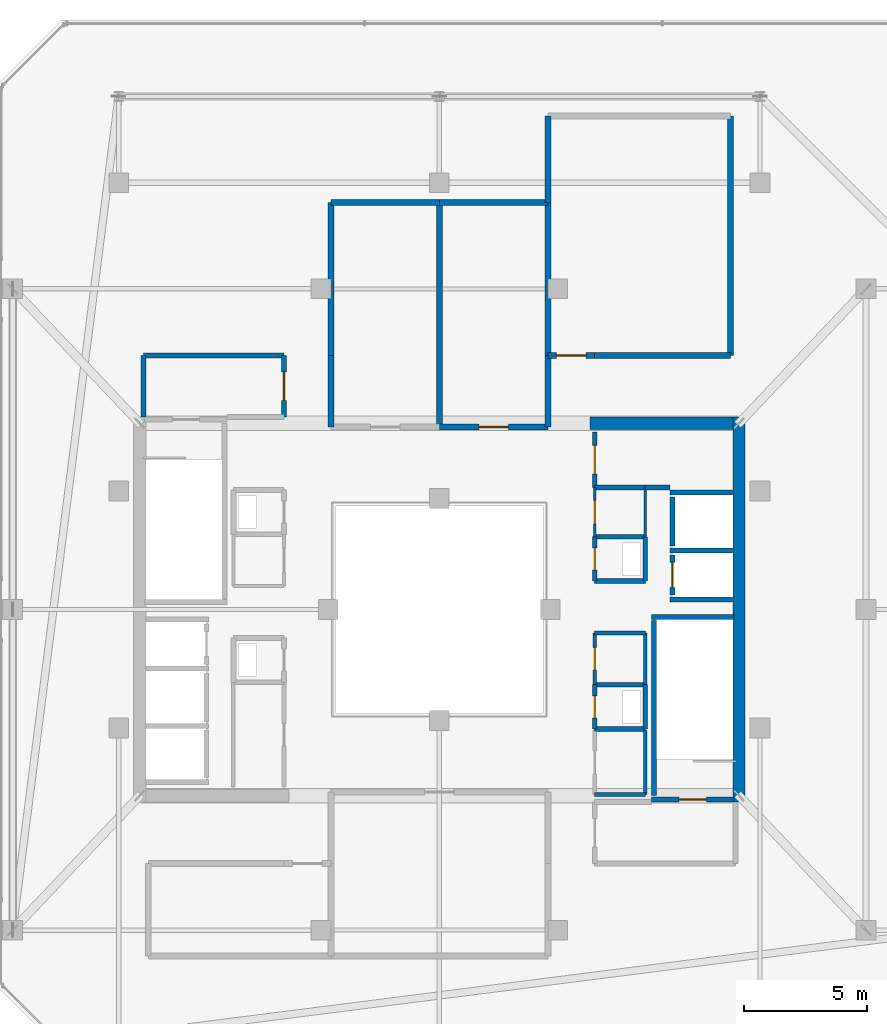
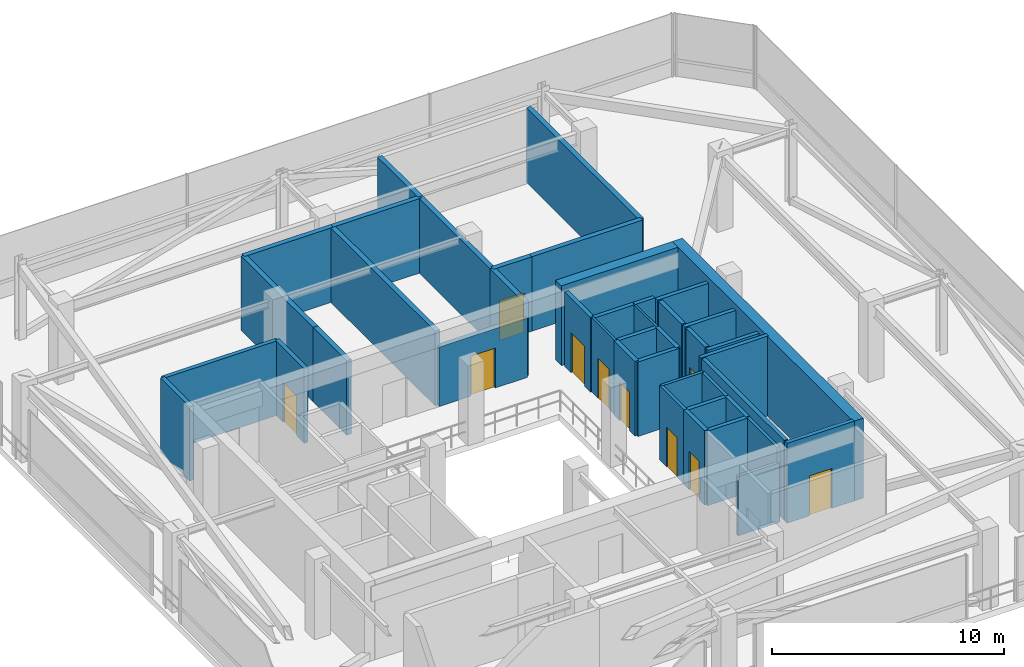
# One storey, part 44 of 47: 43 walls, 10 doors, 10 openings.
"""IFC4 building model written with IfcOpenShell, lengths in metres."""

from ifc_helpers import new_model, si_unit, direction, frame, frame_2d, origin, place, context, subcontext, project, spatial, rectangle, extrude, material, layer, layer_set, type_object, element, fill, save


model = new_model("IFC4")

# Units and contexts
model_context = context("Model", 3, precision=1e-05, world=origin(), true_north=direction((0.0, 1.0)))
body_context = subcontext(model_context, "Body", "Model", "MODEL_VIEW")
ifc_project = project(units=[si_unit("LENGTHUNIT", "METRE"), si_unit("AREAUNIT", "SQUARE_METRE"), si_unit("VOLUMEUNIT", "CUBIC_METRE"), si_unit("PLANEANGLEUNIT", "RADIAN"), si_unit("MASSUNIT", "GRAM", prefix="KILO")], contexts=[model_context])

# Site, building, storey
site_placement = place(None, origin())
site = spatial("IfcSite", under=ifc_project, at=site_placement, CompositionType="ELEMENT")
building_placement = place(site_placement, origin())
building = spatial("IfcBuilding", under=site, at=building_placement, Name="Thornwick Lancets Civic Towers", CompositionType="ELEMENT")
storey_placement = place(building_placement, frame((0.0, 0.0, 279.89990234375)))
storey = spatial("IfcBuildingStorey", under=building, at=storey_placement, Name="C01", CompositionType="ELEMENT", Elevation=279.89990234375)

# Wall, opening, door
ifc_material_1 = material(Name="Concrete blockwork C40/50", Category="masonry")
ifc_layer_1 = layer(ifc_material_1, 0.199951171875, Name="Concrete blockwork C40/50")
ifc_layer_set_1 = layer_set([ifc_layer_1], Name="Concrete blockwork C40/50")
wall_type_1 = type_object("IfcWallType", Name="WALL_COMP_200", PredefinedType="STANDARD", material=ifc_layer_set_1)
wall_1_placement = place(storey_placement, frame((97.949951171875, 29.219970703125, 0.0), z_axis=(0.0, 0.0, 1.0), x_axis=(0.0, -1.0, 0.0)))
wall_1 = element("IfcWall", 1, at=wall_1_placement, inside=storey, type_object=wall_type_1, Name="C01 Hoistway Front Wall FL-B1", PredefinedType="STANDARD", context=body_context, shape_type="SweptSolid", body=[
    extrude(rectangle(XDim=1.639892578125, YDim=0.199951171875, at=frame_2d((0.81982421875, 0.0))), origin(), (0.0, 0.0, 1.0), 3.920166015625),
])
opening_1_placement = place(wall_1_placement, frame((0.31005859375, 0.0, 0.0)))
opening_1 = element("IfcOpeningElement", 2, at=opening_1_placement, cuts=wall_1, Name="Opening LD-FL-B1", PredefinedType="OPENING", context=body_context, shape_type="SweptSolid", body=[
    extrude(rectangle(XDim=1.02001953125, YDim=2.06005859375, at=frame_2d((0.510009765625, 1.030029296875))), frame((0.0, 0.10986328125, 0.0), z_axis=(0.0, -1.0, 0.0), x_axis=(1.0, 0.0, 0.0)), (0.0, 0.0, 1.0), 0.219970703125),
])
ifc_material_2 = material(Name="Brushed bronze stainless steel", Category="steel")
door_type_1 = type_object("IfcDoorType", Name="DOOR_LIFT_SLIDE", OperationType="SLIDING_TO_LEFT", PredefinedType="DOOR", material=ifc_material_2)
door_1_placement = place(opening_1_placement, origin())
door_1 = element("IfcDoor", 3, at=door_1_placement, inside=storey, type_object=door_type_1, Name="C01 Sliding Lift Landing Door LD-FL-B1", OperationType="SLIDING_TO_LEFT", OverallHeight=2.06005859375, OverallWidth=1.02001953125, PredefinedType="DOOR", context=body_context, shape_type="SweptSolid", body=[
    extrude(rectangle(XDim=1.02001953125, YDim=2.06005859375, at=frame_2d((0.510009765625, 1.030029296875))), frame((0.0, 0.02490234375, 0.0), z_axis=(0.0, -1.0, 0.0), x_axis=(1.0, 0.0, 0.0)), (0.0, 0.0, 1.0), 0.050048828125),
])
fill(opening_1, door_1)

# Walls
wall_2_placement = place(storey_placement, frame((97.949951171875, 31.570068359375, 0.0), z_axis=(0.0, 0.0, 1.0), x_axis=(0.0, -1.0, 0.0)))
element("IfcWall", 4, at=wall_2_placement, inside=storey, type_object=wall_type_1, Name="C01 Hoistway Front Wall PL-BH1", PredefinedType="STANDARD", context=body_context, shape_type="SweptSolid", body=[
    extrude(rectangle(XDim=1.989990234375, YDim=0.199951171875, at=frame_2d((0.9951171875, 0.0))), origin(), (0.0, 0.0, 1.0), 3.920166015625),
])
for number, where, z_axis, x_axis, name in (
    (5, (97.85205078125, 29.39990234375, 0.0), (0.0, 0.0, 1.0), (1.0, 0.0, 0.0), "C01 Hoistway Shaft Wall FL-B1 N"),
    (6, (97.85205078125, 27.39990234375, 0.0), (0.0, 0.0, 1.0), (1.0, 0.0, 0.0), "C01 Hoistway Shaft Wall FL-B1 S"),
    (7, (97.85205078125, 31.75, 0.0), (0.0, 0.0, 1.0), (1.0, 0.0, 0.0), "C01 Hoistway Shaft Wall PL-BH1 N"),
):
    element("IfcWall", number, at=place(storey_placement, frame(where, z_axis=z_axis, x_axis=x_axis)), inside=storey, type_object=wall_type_1, Name=name, PredefinedType="STANDARD", context=body_context, shape_type="SweptSolid", body=[
        extrude(rectangle(XDim=2.535888671875, YDim=0.199951171875, at=frame_2d((1.26806640625, 0.0))), origin(), (0.0, 0.0, 1.0), 3.920166015625),
    ])

# Wall, opening, door
wall_3_placement = place(storey_placement, frame((82.199951171875, 34.800048828125, 0.0), z_axis=(0.0, 0.0, 1.0), x_axis=(0.0, 1.0, 0.0)))
wall_3 = element("IfcWall", 8, at=wall_3_placement, inside=storey, type_object=wall_type_1, Name="C01 Partition C01-B-FFLOB2 E2", PredefinedType="STANDARD", context=body_context, shape_type="SweptSolid", body=[
    extrude(rectangle(XDim=2.5, YDim=0.199951171875, at=frame_2d((1.25, 0.0))), origin(), (0.0, 0.0, 1.0), 3.920166015625),
])
opening_2_placement = place(wall_3_placement, frame((0.675048828125, 0.0, 0.0)))
opening_2 = element("IfcOpeningElement", 9, at=opening_2_placement, cuts=wall_3, Name="Opening D-C01-3458", PredefinedType="OPENING", context=body_context, shape_type="SweptSolid", body=[
    extrude(rectangle(XDim=1.14990234375, YDim=2.10009765625, at=frame_2d((0.574951171875, 1.050048828125))), frame((0.0, 0.10986328125, 0.0), z_axis=(0.0, -1.0, 0.0), x_axis=(1.0, 0.0, 0.0)), (0.0, 0.0, 1.0), 0.219970703125),
])
ifc_material_3 = material(Name="Glazed fire-resisting steel", Category="steel")
door_type_2 = type_object("IfcDoorType", Name="DOOR_LOBBY_FD60", OperationType="NOTDEFINED", PredefinedType="DOOR", material=ifc_material_3)
door_2_placement = place(opening_2_placement, origin())
door_2 = element("IfcDoor", 10, at=door_2_placement, inside=storey, type_object=door_type_2, Name="C01 West Firefighting Lobby 2 Door", OperationType="SINGLE_SWING_LEFT", OverallHeight=2.10009765625, OverallWidth=1.14990234375, PredefinedType="DOOR", context=body_context, shape_type="SweptSolid", body=[
    extrude(rectangle(XDim=1.14990234375, YDim=2.10009765625, at=frame_2d((0.574951171875, 1.050048828125))), frame((0.0, 0.02490234375, 0.0), z_axis=(0.0, -1.0, 0.0), x_axis=(1.0, 0.0, 0.0)), (0.0, 0.0, 1.0), 0.050048828125),
])
fill(opening_2, door_2)

# Walls
wall_4_placement = place(storey_placement, frame((82.199951171875, 37.300048828125, 0.0), z_axis=(0.0, 0.0, 1.0), x_axis=(-1.0, 0.0, 0.0)))
element("IfcWall", 11, at=wall_4_placement, inside=storey, type_object=wall_type_1, Name="C01 Partition C01-B-FFLOB2 E3", PredefinedType="STANDARD", context=body_context, shape_type="SweptSolid", body=[
    extrude(rectangle(XDim=5.699951171875, YDim=0.199951171875, at=frame_2d((2.85009765625, 0.0))), origin(), (0.0, 0.0, 1.0), 3.920166015625),
])
wall_5_placement = place(storey_placement, frame((76.5, 37.300048828125, 0.0), z_axis=(0.0, 0.0, 1.0), x_axis=(0.0, -1.0, 0.0)))
element("IfcWall", 12, at=wall_5_placement, inside=storey, type_object=wall_type_1, Name="C01 Partition C01-B-FFLOB2 E4", PredefinedType="STANDARD", context=body_context, shape_type="SweptSolid", body=[
    extrude(rectangle(XDim=2.5, YDim=0.199951171875, at=frame_2d((1.25, 0.0))), origin(), (0.0, 0.0, 1.0), 3.920166015625),
])
wall_6_placement = place(storey_placement, frame((94.800048828125, 28.14990234375, 0.0), z_axis=(0.0, 0.0, 1.0), x_axis=(1.0, 0.0, 0.0)))
element("IfcWall", 13, at=wall_6_placement, inside=storey, type_object=wall_type_1, Name="C01 Partition C01-B-DUCT1 E1", PredefinedType="STANDARD", context=body_context, shape_type="SweptSolid", body=[
    extrude(rectangle(XDim=2.050048828125, YDim=0.199951171875, at=frame_2d((1.02490234375, 0.0))), origin(), (0.0, 0.0, 1.0), 3.920166015625),
])
wall_7_placement = place(storey_placement, frame((96.85009765625, 28.14990234375, 0.0), z_axis=(0.0, 0.0, 1.0), x_axis=(0.0, 1.0, 0.0)))
element("IfcWall", 14, at=wall_7_placement, inside=storey, type_object=wall_type_1, Name="C01 Partition C01-B-DUCT1 E2", PredefinedType="STANDARD", context=body_context, shape_type="SweptSolid", body=[
    extrude(rectangle(XDim=1.800048828125, YDim=0.199951171875, at=frame_2d((0.89990234375, 0.0))), origin(), (0.0, 0.0, 1.0), 3.920166015625),
])
wall_8_placement = place(storey_placement, frame((96.85009765625, 29.949951171875, 0.0), z_axis=(0.0, 0.0, 1.0), x_axis=(-1.0, 0.0, 0.0)))
element("IfcWall", 15, at=wall_8_placement, inside=storey, type_object=wall_type_1, Name="C01 Partition C01-B-DUCT1 E3", PredefinedType="STANDARD", context=body_context, shape_type="SweptSolid", body=[
    extrude(rectangle(XDim=2.050048828125, YDim=0.199951171875, at=frame_2d((1.02490234375, 0.0))), origin(), (0.0, 0.0, 1.0), 3.920166015625),
])

# Wall, opening, door
wall_9_placement = place(storey_placement, frame((94.800048828125, 29.949951171875, 0.0), z_axis=(0.0, 0.0, 1.0), x_axis=(0.0, -1.0, 0.0)))
wall_9 = element("IfcWall", 16, at=wall_9_placement, inside=storey, type_object=wall_type_1, Name="C01 Partition C01-B-DUCT1 E4", PredefinedType="STANDARD", context=body_context, shape_type="SweptSolid", body=[
    extrude(rectangle(XDim=1.800048828125, YDim=0.199951171875, at=frame_2d((0.89990234375, 0.0))), origin(), (0.0, 0.0, 1.0), 3.920166015625),
])
opening_3_placement = place(wall_9_placement, frame((0.4599609375, 0.0, 0.0)))
opening_3 = element("IfcOpeningElement", 17, at=opening_3_placement, cuts=wall_9, Name="Opening D-C01-3459", PredefinedType="OPENING", context=body_context, shape_type="SweptSolid", body=[
    extrude(rectangle(XDim=0.8798828125, YDim=2.0400390625, at=frame_2d((0.43994140625, 1.02001953125))), frame((0.0, 0.10986328125, 0.0), z_axis=(0.0, -1.0, 0.0), x_axis=(1.0, 0.0, 0.0)), (0.0, 0.0, 1.0), 0.219970703125),
])
ifc_material_4 = material(Name="Steel riser access doorset", Category="steel")
door_type_3 = type_object("IfcDoorType", Name="DOOR_RISER_850", OperationType="NOTDEFINED", PredefinedType="DOOR", material=ifc_material_4)
door_3_placement = place(opening_3_placement, origin())
door_3 = element("IfcDoor", 18, at=door_3_placement, inside=storey, type_object=door_type_3, Name="C01 East Service Duct 1 Door", OperationType="SINGLE_SWING_RIGHT", OverallHeight=2.0400390625, OverallWidth=0.8798828125, PredefinedType="DOOR", context=body_context, shape_type="SweptSolid", body=[
    extrude(rectangle(XDim=0.8798828125, YDim=2.0400390625, at=frame_2d((0.43994140625, 1.02001953125))), frame((0.0, 0.02490234375, 0.0), z_axis=(0.0, -1.0, 0.0), x_axis=(1.0, 0.0, 0.0)), (0.0, 0.0, 1.0), 0.050048828125),
])
fill(opening_3, door_3)

# Walls
wall_10_placement = place(storey_placement, frame((94.800048828125, 22.14990234375, 0.0), z_axis=(0.0, 0.0, 1.0), x_axis=(1.0, 0.0, 0.0)))
element("IfcWall", 19, at=wall_10_placement, inside=storey, type_object=wall_type_1, Name="C01 Partition C01-B-RISER1 E1", PredefinedType="STANDARD", context=body_context, shape_type="SweptSolid", body=[
    extrude(rectangle(XDim=2.050048828125, YDim=0.199951171875, at=frame_2d((1.02490234375, 0.0))), origin(), (0.0, 0.0, 1.0), 3.920166015625),
])
wall_11_placement = place(storey_placement, frame((96.85009765625, 22.14990234375, 0.0), z_axis=(0.0, 0.0, 1.0), x_axis=(0.0, 1.0, 0.0)))
element("IfcWall", 20, at=wall_11_placement, inside=storey, type_object=wall_type_1, Name="C01 Partition C01-B-RISER1 E2", PredefinedType="STANDARD", context=body_context, shape_type="SweptSolid", body=[
    extrude(rectangle(XDim=1.800048828125, YDim=0.199951171875, at=frame_2d((0.89990234375, 0.0))), origin(), (0.0, 0.0, 1.0), 3.920166015625),
])
wall_12_placement = place(storey_placement, frame((96.85009765625, 23.949951171875, 0.0), z_axis=(0.0, 0.0, 1.0), x_axis=(-1.0, 0.0, 0.0)))
element("IfcWall", 21, at=wall_12_placement, inside=storey, type_object=wall_type_1, Name="C01 Partition C01-B-RISER1 E3", PredefinedType="STANDARD", context=body_context, shape_type="SweptSolid", body=[
    extrude(rectangle(XDim=2.050048828125, YDim=0.199951171875, at=frame_2d((1.02490234375, 0.0))), origin(), (0.0, 0.0, 1.0), 3.920166015625),
])

# Wall, opening, door
wall_13_placement = place(storey_placement, frame((94.800048828125, 23.949951171875, 0.0), z_axis=(0.0, 0.0, 1.0), x_axis=(0.0, -1.0, 0.0)))
wall_13 = element("IfcWall", 22, at=wall_13_placement, inside=storey, type_object=wall_type_1, Name="C01 Partition C01-B-RISER1 E4", PredefinedType="STANDARD", context=body_context, shape_type="SweptSolid", body=[
    extrude(rectangle(XDim=1.800048828125, YDim=0.199951171875, at=frame_2d((0.89990234375, 0.0))), origin(), (0.0, 0.0, 1.0), 3.920166015625),
])
opening_4_placement = place(wall_13_placement, frame((0.4599609375, 0.0, 0.0)))
opening_4 = element("IfcOpeningElement", 23, at=opening_4_placement, cuts=wall_13, Name="Opening D-C01-3460", PredefinedType="OPENING", context=body_context, shape_type="SweptSolid", body=[
    extrude(rectangle(XDim=0.8798828125, YDim=2.0400390625, at=frame_2d((0.43994140625, 1.02001953125))), frame((0.0, 0.10986328125, 0.0), z_axis=(0.0, -1.0, 0.0), x_axis=(1.0, 0.0, 0.0)), (0.0, 0.0, 1.0), 0.219970703125),
])
door_4_placement = place(opening_4_placement, origin())
door_4 = element("IfcDoor", 24, at=door_4_placement, inside=storey, type_object=door_type_3, Name="C01 East Electrical Riser 1 Door", OperationType="SINGLE_SWING_LEFT", OverallHeight=2.0400390625, OverallWidth=0.8798828125, PredefinedType="DOOR", context=body_context, shape_type="SweptSolid", body=[
    extrude(rectangle(XDim=0.8798828125, YDim=2.0400390625, at=frame_2d((0.43994140625, 1.02001953125))), frame((0.0, 0.02490234375, 0.0), z_axis=(0.0, -1.0, 0.0), x_axis=(1.0, 0.0, 0.0)), (0.0, 0.0, 1.0), 0.050048828125),
])
fill(opening_4, door_4)

wall_14_placement = place(storey_placement, frame((94.800048828125, 31.949951171875, 0.0), z_axis=(0.0, 0.0, 1.0), x_axis=(0.0, 1.0, 0.0)))
wall_14 = element("IfcWall", 25, at=wall_14_placement, inside=storey, type_object=wall_type_1, Name="C01 Partition C01-B-ITR2 E1", PredefinedType="STANDARD", context=body_context, shape_type="SweptSolid", body=[
    extrude(rectangle(XDim=2.25, YDim=0.199951171875, at=frame_2d((1.125, 0.0))), origin(), (0.0, 0.0, 1.0), 3.920166015625),
])
opening_5_placement = place(wall_14_placement, frame((0.550048828125, 0.0, 0.0)))
opening_5 = element("IfcOpeningElement", 26, at=opening_5_placement, cuts=wall_14, Name="Opening D-C01-3466", PredefinedType="OPENING", context=body_context, shape_type="SweptSolid", body=[
    extrude(rectangle(XDim=1.14990234375, YDim=2.10009765625, at=frame_2d((0.574951171875, 1.050048828125))), frame((0.0, 0.10986328125, 0.0), z_axis=(0.0, -1.0, 0.0), x_axis=(1.0, 0.0, 0.0)), (0.0, 0.0, 1.0), 0.219970703125),
])
door_5_placement = place(opening_5_placement, origin())
door_5 = element("IfcDoor", 27, at=door_5_placement, inside=storey, type_object=door_type_2, Name="C01 Tower B Statutory Core Archive Door", OperationType="SINGLE_SWING_LEFT", OverallHeight=2.10009765625, OverallWidth=1.14990234375, PredefinedType="DOOR", context=body_context, shape_type="SweptSolid", body=[
    extrude(rectangle(XDim=1.14990234375, YDim=2.10009765625, at=frame_2d((0.574951171875, 1.050048828125))), frame((0.0, 0.02490234375, 0.0), z_axis=(0.0, -1.0, 0.0), x_axis=(1.0, 0.0, 0.0)), (0.0, 0.0, 1.0), 0.050048828125),
])
fill(opening_5, door_5)

# Walls
wall_15_placement = place(storey_placement, frame((97.85205078125, 31.949951171875, 0.0), z_axis=(0.0, 0.0, 1.0), x_axis=(-1.0, 0.0, 0.0)))
element("IfcWall", 28, at=wall_15_placement, inside=storey, type_object=wall_type_1, Name="C01 Partition C01-B-ITR2 E4", PredefinedType="STANDARD", context=body_context, shape_type="SweptSolid", body=[
    extrude(rectangle(XDim=1.001953125, YDim=0.199951171875, at=frame_2d((0.5009765625, 0.0))), origin(), (0.0, 0.0, 1.0), 3.920166015625),
])
wall_16_placement = place(storey_placement, frame((96.85009765625, 31.949951171875, 0.0), z_axis=(0.0, 0.0, 1.0), x_axis=(-1.0, 0.0, 0.0)))
element("IfcWall", 29, at=wall_16_placement, inside=storey, type_object=wall_type_1, Name="C01 Partition C01-B-ITR2 E5", PredefinedType="STANDARD", context=body_context, shape_type="SweptSolid", body=[
    extrude(rectangle(XDim=2.050048828125, YDim=0.199951171875, at=frame_2d((1.02490234375, 0.0))), origin(), (0.0, 0.0, 1.0), 3.920166015625),
])
ifc_layer_2 = layer(ifc_material_1, 0.239990234375, Name="Concrete blockwork C40/50")
ifc_layer_set_2 = layer_set([ifc_layer_2], Name="Concrete blockwork C40/50")
wall_type_2 = type_object("IfcWallType", Name="WALL_COMP_240", PredefinedType="STANDARD", material=ifc_layer_set_2)
wall_17_placement = place(storey_placement, frame((88.5, 43.5, 0.0), z_axis=(0.0, 0.0, 1.0), x_axis=(1.0, 0.0, 0.0)))
element("IfcWall", 30, at=wall_17_placement, inside=storey, type_object=wall_type_2, Name="C01 Partition C01-B-PL-SMK E1", PredefinedType="STANDARD", context=body_context, shape_type="SweptSolid", body=[
    extrude(rectangle(XDim=4.39990234375, YDim=0.239990234375, at=frame_2d((2.199951171875, 0.0))), origin(), (0.0, 0.0, 1.0), 3.920166015625),
])
wall_18_placement = place(storey_placement, frame((92.89990234375, 43.5, 0.0), z_axis=(0.0, 0.0, 1.0), x_axis=(0.0, -1.0, 0.0)))
element("IfcWall", 31, at=wall_18_placement, inside=storey, type_object=wall_type_2, Name="C01 Partition C01-B-PL-SMK E2", PredefinedType="STANDARD", context=body_context, shape_type="SweptSolid", body=[
    extrude(rectangle(XDim=6.199951171875, YDim=0.239990234375, at=frame_2d((3.10009765625, 0.0))), origin(), (0.0, 0.0, 1.0), 3.920166015625),
])
wall_19_placement = place(storey_placement, frame((92.89990234375, 37.300048828125, 0.0), z_axis=(0.0, 0.0, 1.0), x_axis=(0.0, -1.0, 0.0)))
element("IfcWall", 32, at=wall_19_placement, inside=storey, type_object=wall_type_2, Name="C01 Partition C01-B-PL-SMK E3", PredefinedType="STANDARD", context=body_context, shape_type="SweptSolid", body=[
    extrude(rectangle(XDim=2.900146484375, YDim=0.239990234375, at=frame_2d((1.4501953125, 0.0))), origin(), (0.0, 0.0, 1.0), 3.920166015625),
])

# Wall, opening, door
wall_20_placement = place(storey_placement, frame((92.89990234375, 34.39990234375, 0.0), z_axis=(0.0, 0.0, 1.0), x_axis=(-1.0, 0.0, 0.0)))
wall_20 = element("IfcWall", 33, at=wall_20_placement, inside=storey, type_object=wall_type_2, Name="C01 Partition C01-B-PL-SMK E4", PredefinedType="STANDARD", context=body_context, shape_type="SweptSolid", body=[
    extrude(rectangle(XDim=4.39990234375, YDim=0.239990234375, at=frame_2d((2.199951171875, 0.0))), origin(), (0.0, 0.0, 1.0), 3.125),
])
opening_6_placement = place(wall_20_placement, frame((1.60009765625, 0.0, 0.0)))
opening_6 = element("IfcOpeningElement", 34, at=opening_6_placement, cuts=wall_20, Name="Opening D-C01-3474", PredefinedType="OPENING", context=body_context, shape_type="SweptSolid", body=[
    extrude(rectangle(XDim=1.199951171875, YDim=2.10009765625, at=frame_2d((0.60009765625, 1.050048828125))), frame((0.0, 0.1298828125, 0.0), z_axis=(0.0, -1.0, 0.0), x_axis=(1.0, 0.0, 0.0)), (0.0, 0.0, 1.0), 0.260009765625),
])
ifc_material_5 = material(Name="Steel plant room doorset", Category="steel")
door_type_4 = type_object("IfcDoorType", Name="DOOR_PLANT_1200", OperationType="NOTDEFINED", PredefinedType="DOOR", material=ifc_material_5)
door_6_placement = place(opening_6_placement, origin())
door_6 = element("IfcDoor", 35, at=door_6_placement, inside=storey, type_object=door_type_4, Name="C01 Tower B Smoke Extract Fan Plant Room Door", OperationType="SINGLE_SWING_LEFT", OverallHeight=2.10009765625, OverallWidth=1.199951171875, PredefinedType="DOOR", context=body_context, shape_type="SweptSolid", body=[
    extrude(rectangle(XDim=1.199951171875, YDim=2.10009765625, at=frame_2d((0.60009765625, 1.050048828125))), frame((0.0, 0.02490234375, 0.0), z_axis=(0.0, -1.0, 0.0), x_axis=(1.0, 0.0, 0.0)), (0.0, 0.0, 1.0), 0.050048828125),
])
fill(opening_6, door_6)

# Walls
wall_21_placement = place(storey_placement, frame((88.5, 34.39990234375, 0.0), z_axis=(0.0, 0.0, 1.0), x_axis=(0.0, 1.0, 0.0)))
element("IfcWall", 36, at=wall_21_placement, inside=storey, type_object=wall_type_2, Name="C01 Partition C01-B-PL-SMK E5", PredefinedType="STANDARD", context=body_context, shape_type="SweptSolid", body=[
    extrude(rectangle(XDim=9.10009765625, YDim=0.239990234375, at=frame_2d((4.550048828125, 0.0))), origin(), (0.0, 0.0, 1.0), 3.920166015625),
])
wall_22_placement = place(storey_placement, frame((84.10009765625, 37.300048828125, 0.0), z_axis=(0.0, 0.0, 1.0), x_axis=(0.0, 1.0, 0.0)))
element("IfcWall", 37, at=wall_22_placement, inside=storey, type_object=wall_type_2, Name="C01 Partition C01-B-PL-PRS E1", PredefinedType="STANDARD", context=body_context, shape_type="SweptSolid", body=[
    extrude(rectangle(XDim=6.199951171875, YDim=0.239990234375, at=frame_2d((3.10009765625, 0.0))), origin(), (0.0, 0.0, 1.0), 3.920166015625),
])
wall_23_placement = place(storey_placement, frame((84.10009765625, 43.5, 0.0), z_axis=(0.0, 0.0, 1.0), x_axis=(1.0, 0.0, 0.0)))
element("IfcWall", 38, at=wall_23_placement, inside=storey, type_object=wall_type_2, Name="C01 Partition C01-B-PL-PRS E2", PredefinedType="STANDARD", context=body_context, shape_type="SweptSolid", body=[
    extrude(rectangle(XDim=4.39990234375, YDim=0.239990234375, at=frame_2d((2.199951171875, 0.0))), origin(), (0.0, 0.0, 1.0), 3.920166015625),
])
wall_24_placement = place(storey_placement, frame((84.10009765625, 34.39990234375, 0.0), z_axis=(0.0, 0.0, 1.0), x_axis=(0.0, 1.0, 0.0)))
element("IfcWall", 39, at=wall_24_placement, inside=storey, type_object=wall_type_2, Name="C01 Partition C01-B-PL-PRS E5", PredefinedType="STANDARD", context=body_context, shape_type="SweptSolid", body=[
    extrude(rectangle(XDim=2.900146484375, YDim=0.239990234375, at=frame_2d((1.4501953125, 0.0))), origin(), (0.0, 0.0, 1.0), 3.920166015625),
])
wall_25_placement = place(storey_placement, frame((92.89990234375, 43.5, 0.0), z_axis=(0.0, 0.0, 1.0), x_axis=(0.0, 1.0, 0.0)))
element("IfcWall", 40, at=wall_25_placement, inside=storey, type_object=wall_type_2, Name="C01 Partition C01-B-PL-CHL E1", PredefinedType="STANDARD", context=body_context, shape_type="SweptSolid", body=[
    extrude(rectangle(XDim=3.5, YDim=0.239990234375, at=frame_2d((1.75, 0.0))), origin(), (0.0, 0.0, 1.0), 3.920166015625),
])
wall_26_placement = place(storey_placement, frame((100.300048828125, 47.0, 0.0), z_axis=(0.0, 0.0, 1.0), x_axis=(0.0, -1.0, 0.0)))
element("IfcWall", 41, at=wall_26_placement, inside=storey, type_object=wall_type_2, Name="C01 Partition C01-B-PL-CHL E3", PredefinedType="STANDARD", context=body_context, shape_type="SweptSolid", body=[
    extrude(rectangle(XDim=9.699951171875, YDim=0.239990234375, at=frame_2d((4.85009765625, 0.0))), origin(), (0.0, 0.0, 1.0), 3.920166015625),
])
wall_27_placement = place(storey_placement, frame((100.300048828125, 37.300048828125, 0.0), z_axis=(0.0, 0.0, 1.0), x_axis=(-1.0, 0.0, 0.0)))
element("IfcWall", 42, at=wall_27_placement, inside=storey, type_object=wall_type_2, Name="C01 Partition C01-B-PL-CHL E4", PredefinedType="STANDARD", context=body_context, shape_type="SweptSolid", body=[
    extrude(rectangle(XDim=5.5, YDim=0.239990234375, at=frame_2d((2.75, 0.0))), origin(), (0.0, 0.0, 1.0), 3.920166015625),
])

# Wall, opening, door
wall_28_placement = place(storey_placement, frame((94.800048828125, 37.300048828125, 0.0), z_axis=(0.0, 0.0, 1.0), x_axis=(-1.0, 0.0, 0.0)))
wall_28 = element("IfcWall", 43, at=wall_28_placement, inside=storey, type_object=wall_type_2, Name="C01 Partition C01-B-PL-CHL E5", PredefinedType="STANDARD", context=body_context, shape_type="SweptSolid", body=[
    extrude(rectangle(XDim=1.900146484375, YDim=0.239990234375, at=frame_2d((0.9501953125, 0.0))), origin(), (0.0, 0.0, 1.0), 3.920166015625),
])
opening_7_placement = place(wall_28_placement, frame((0.35009765625, 0.0, 0.0)))
opening_7 = element("IfcOpeningElement", 44, at=opening_7_placement, cuts=wall_28, Name="Opening D-C01-3477", PredefinedType="OPENING", context=body_context, shape_type="SweptSolid", body=[
    extrude(rectangle(XDim=1.199951171875, YDim=2.10009765625, at=frame_2d((0.60009765625, 1.050048828125))), frame((0.0, 0.1298828125, 0.0), z_axis=(0.0, -1.0, 0.0), x_axis=(1.0, 0.0, 0.0)), (0.0, 0.0, 1.0), 0.260009765625),
])
door_7_placement = place(opening_7_placement, origin())
door_7 = element("IfcDoor", 45, at=door_7_placement, inside=storey, type_object=door_type_4, Name="C01 Tower B Chiller and Heat-Pump Plant Room Door", OperationType="SINGLE_SWING_RIGHT", OverallHeight=2.10009765625, OverallWidth=1.199951171875, PredefinedType="DOOR", context=body_context, shape_type="SweptSolid", body=[
    extrude(rectangle(XDim=1.199951171875, YDim=2.10009765625, at=frame_2d((0.60009765625, 1.050048828125))), frame((0.0, 0.02490234375, 0.0), z_axis=(0.0, -1.0, 0.0), x_axis=(1.0, 0.0, 0.0)), (0.0, 0.0, 1.0), 0.050048828125),
])
fill(opening_7, door_7)

# Walls
ifc_material_6 = material(Name="Concrete C50/60", Category="concrete")
ifc_layer_3 = layer(ifc_material_6, 0.5, Name="Concrete C50/60")
ifc_layer_set_3 = layer_set([ifc_layer_3], Name="Concrete C50/60")
wall_type_3 = type_object("IfcWallType", Name="WALL_CORE_500", PredefinedType="SHEAR", material=ifc_layer_set_3)
wall_29_placement = place(storey_placement, frame((100.64990234375, 19.199951171875, 0.0), z_axis=(0.0, 0.0, 1.0), x_axis=(0.0, 1.0, 0.0)))
element("IfcWall", 46, at=wall_29_placement, inside=storey, type_object=wall_type_3, Name="C01 Split Core B1 Shear Wall E", PredefinedType="SHEAR", context=body_context, shape_type="SweptSolid", body=[
    extrude(rectangle(XDim=15.60009765625, YDim=0.5, at=frame_2d((7.800048828125, 0.0))), origin(), (0.0, 0.0, 1.0), 4.2001953125),
])
wall_30_placement = place(storey_placement, frame((94.60009765625, 34.550048828125, 0.0), z_axis=(0.0, 0.0, 1.0), x_axis=(1.0, 0.0, 0.0)))
element("IfcWall", 47, at=wall_30_placement, inside=storey, type_object=wall_type_3, Name="C01 Split Core B1 Shear Wall N", PredefinedType="SHEAR", context=body_context, shape_type="SweptSolid", body=[
    extrude(rectangle(XDim=5.7998046875, YDim=0.5, at=frame_2d((2.89990234375, 0.0))), origin(), (0.0, 0.0, 1.0), 4.2001953125),
])

# Wall, opening, door
ifc_material_7 = material(Name="Lightweight cellular office partition")
ifc_layer_4 = layer(ifc_material_7, 0.10009765625, Name="Lightweight cellular office partition")
ifc_layer_set_4 = layer_set([ifc_layer_4], Name="Lightweight cellular office partition")
wall_type_4 = type_object("IfcWallType", Name="WALL_PART_100", PredefinedType="PARTITIONING", material=ifc_layer_set_4)
wall_31_placement = place(storey_placement, frame((94.800048828125, 29.949951171875, 0.0), z_axis=(0.0, 0.0, 1.0), x_axis=(0.0, 1.0, 0.0)))
wall_31 = element("IfcWall", 48, at=wall_31_placement, inside=storey, type_object=wall_type_4, Name="C01 Partition C01-B-CLN E1", PredefinedType="PARTITIONING", context=body_context, shape_type="SweptSolid", body=[
    extrude(rectangle(XDim=2.0, YDim=0.10009765625, at=frame_2d((1.0, 0.0))), origin(), (0.0, 0.0, 1.0), 3.920166015625),
])
opening_8_placement = place(wall_31_placement, frame((0.52490234375, 0.0, 0.0)))
opening_8 = element("IfcOpeningElement", 49, at=opening_8_placement, cuts=wall_31, Name="Opening D-C01-3465", PredefinedType="OPENING", context=body_context, shape_type="SweptSolid", body=[
    extrude(rectangle(XDim=0.949951171875, YDim=2.10009765625, at=frame_2d((0.47509765625, 1.050048828125))), frame((0.0, 0.06005859375, 0.0), z_axis=(0.0, -1.0, 0.0), x_axis=(1.0, 0.0, 0.0)), (0.0, 0.0, 1.0), 0.1201171875),
])
ifc_material_8 = material(Name="European oak acoustic doorset")
door_type_5 = type_object("IfcDoorType", Name="DOOR_OFFICE_950", OperationType="NOTDEFINED", PredefinedType="DOOR", material=ifc_material_8)
door_8_placement = place(opening_8_placement, origin())
door_8 = element("IfcDoor", 50, at=door_8_placement, inside=storey, type_object=door_type_5, Name="C01 Tower B Cleaners Store Door", OperationType="SINGLE_SWING_RIGHT", OverallHeight=2.10009765625, OverallWidth=0.949951171875, PredefinedType="DOOR", context=body_context, shape_type="SweptSolid", body=[
    extrude(rectangle(XDim=0.949951171875, YDim=2.10009765625, at=frame_2d((0.47509765625, 1.050048828125))), frame((0.0, 0.02490234375, 0.0), z_axis=(0.0, -1.0, 0.0), x_axis=(1.0, 0.0, 0.0)), (0.0, 0.0, 1.0), 0.050048828125),
])
fill(opening_8, door_8)

# Walls
wall_32_placement = place(storey_placement, frame((96.85009765625, 31.949951171875, 0.0), z_axis=(0.0, 0.0, 1.0), x_axis=(0.0, -1.0, 0.0)))
element("IfcWall", 51, at=wall_32_placement, inside=storey, type_object=wall_type_4, Name="C01 Partition C01-B-CLN E3", PredefinedType="PARTITIONING", context=body_context, shape_type="SweptSolid", body=[
    extrude(rectangle(XDim=2.0, YDim=0.10009765625, at=frame_2d((1.0, 0.0))), origin(), (0.0, 0.0, 1.0), 3.920166015625),
])
ifc_material_9 = material(Name="Twin-stud acoustic gypsum board")
ifc_layer_5 = layer(ifc_material_9, 0.14990234375, Name="Twin-stud acoustic gypsum board")
ifc_layer_set_5 = layer_set([ifc_layer_5], Name="Twin-stud acoustic gypsum board")
wall_type_5 = type_object("IfcWallType", Name="WALL_PART_150", PredefinedType="PARTITIONING", material=ifc_layer_set_5)
wall_33_placement = place(storey_placement, frame((94.800048828125, 19.5, 0.0), z_axis=(0.0, 0.0, 1.0), x_axis=(1.0, 0.0, 0.0)))
element("IfcWall", 52, at=wall_33_placement, inside=storey, type_object=wall_type_5, Name="C01 Partition C01-B-MWC E1", PredefinedType="PARTITIONING", context=body_context, shape_type="SweptSolid", body=[
    extrude(rectangle(XDim=2.050048828125, YDim=0.14990234375, at=frame_2d((1.02490234375, 0.0))), origin(), (0.0, 0.0, 1.0), 3.125),
])
wall_34_placement = place(storey_placement, frame((96.85009765625, 19.5, 0.0), z_axis=(0.0, 0.0, 1.0), x_axis=(0.0, 1.0, 0.0)))
element("IfcWall", 53, at=wall_34_placement, inside=storey, type_object=wall_type_5, Name="C01 Partition C01-B-MWC E2", PredefinedType="PARTITIONING", context=body_context, shape_type="SweptSolid", body=[
    extrude(rectangle(XDim=2.60009765625, YDim=0.14990234375, at=frame_2d((1.300048828125, 0.0))), origin(), (0.0, 0.0, 1.0), 3.920166015625),
])

# Wall, opening, door
wall_35_placement = place(storey_placement, frame((94.800048828125, 23.949951171875, 0.0), z_axis=(0.0, 0.0, 1.0), x_axis=(0.0, 1.0, 0.0)))
wall_35 = element("IfcWall", 54, at=wall_35_placement, inside=storey, type_object=wall_type_5, Name="C01 Partition C01-B-AWC E1", PredefinedType="PARTITIONING", context=body_context, shape_type="SweptSolid", body=[
    extrude(rectangle(XDim=2.10009765625, YDim=0.14990234375, at=frame_2d((1.050048828125, 0.0))), origin(), (0.0, 0.0, 1.0), 3.920166015625),
])
opening_9_placement = place(wall_35_placement, frame((0.590087890625, 0.0, 0.0)))
opening_9 = element("IfcOpeningElement", 55, at=opening_9_placement, cuts=wall_35, Name="Opening D-C01-3464", PredefinedType="OPENING", context=body_context, shape_type="SweptSolid", body=[
    extrude(rectangle(XDim=0.919921875, YDim=2.080078125, at=frame_2d((0.4599609375, 1.0400390625))), frame((0.0, 0.0849609375, 0.0), z_axis=(0.0, -1.0, 0.0), x_axis=(1.0, 0.0, 0.0)), (0.0, 0.0, 1.0), 0.169921875),
])
ifc_material_10 = material(Name="Moisture-resistant oak doorset")
door_type_6 = type_object("IfcDoorType", Name="DOOR_WC_900", OperationType="NOTDEFINED", PredefinedType="DOOR", material=ifc_material_10)
door_9_placement = place(opening_9_placement, origin())
door_9 = element("IfcDoor", 56, at=door_9_placement, inside=storey, type_object=door_type_6, Name="C01 Tower B Accessible WC Door", OperationType="SINGLE_SWING_LEFT", OverallHeight=2.080078125, OverallWidth=0.919921875, PredefinedType="DOOR", context=body_context, shape_type="SweptSolid", body=[
    extrude(rectangle(XDim=0.919921875, YDim=2.080078125, at=frame_2d((0.4599609375, 1.0400390625))), frame((0.0, 0.02490234375, 0.0), z_axis=(0.0, -1.0, 0.0), x_axis=(1.0, 0.0, 0.0)), (0.0, 0.0, 1.0), 0.050048828125),
])
fill(opening_9, door_9)

# Walls
wall_36_placement = place(storey_placement, frame((94.800048828125, 26.050048828125, 0.0), z_axis=(0.0, 0.0, 1.0), x_axis=(1.0, 0.0, 0.0)))
element("IfcWall", 57, at=wall_36_placement, inside=storey, type_object=wall_type_5, Name="C01 Partition C01-B-AWC E2", PredefinedType="PARTITIONING", context=body_context, shape_type="SweptSolid", body=[
    extrude(rectangle(XDim=2.050048828125, YDim=0.14990234375, at=frame_2d((1.02490234375, 0.0))), origin(), (0.0, 0.0, 1.0), 3.920166015625),
])
wall_37_placement = place(storey_placement, frame((96.85009765625, 26.050048828125, 0.0), z_axis=(0.0, 0.0, 1.0), x_axis=(0.0, -1.0, 0.0)))
element("IfcWall", 58, at=wall_37_placement, inside=storey, type_object=wall_type_5, Name="C01 Partition C01-B-AWC E3", PredefinedType="PARTITIONING", context=body_context, shape_type="SweptSolid", body=[
    extrude(rectangle(XDim=2.10009765625, YDim=0.14990234375, at=frame_2d((1.050048828125, 0.0))), origin(), (0.0, 0.0, 1.0), 3.920166015625),
])

# Wall, opening, door
ifc_material_11 = material(Name="Concrete C40/50", Category="concrete")
ifc_layer_6 = layer(ifc_material_11, 0.199951171875, Name="Concrete C40/50")
ifc_layer_set_6 = layer_set([ifc_layer_6], Name="Concrete C40/50")
wall_type_6 = type_object("IfcWallType", Name="WALL_SHAFT_200", PredefinedType="SHEAR", material=ifc_layer_set_6)
wall_38_placement = place(storey_placement, frame((100.449951171875, 19.300048828125, 0.0), z_axis=(0.0, 0.0, 1.0), x_axis=(-1.0, 0.0, 0.0)))
wall_38 = element("IfcWall", 59, at=wall_38_placement, inside=storey, type_object=wall_type_6, Name="C01 ST-B1 Fire Stair Core Wall NEAR", PredefinedType="SHEAR", context=body_context, shape_type="SweptSolid", body=[
    extrude(rectangle(XDim=3.349853515625, YDim=0.199951171875, at=frame_2d((1.6748046875, 0.0))), origin(), (0.0, 0.0, 1.0), 4.2001953125),
])
opening_10_placement = place(wall_38_placement, frame((1.125, 0.0, 0.0)))
opening_10 = element("IfcOpeningElement", 60, at=opening_10_placement, cuts=wall_38, Name="Opening D-ST-B1-C01", PredefinedType="OPENING", context=body_context, shape_type="SweptSolid", body=[
    extrude(rectangle(XDim=1.10009765625, YDim=2.10009765625, at=frame_2d((0.550048828125, 1.050048828125))), frame((0.0, 0.10986328125, 0.0), z_axis=(0.0, -1.0, 0.0), x_axis=(1.0, 0.0, 0.0)), (0.0, 0.0, 1.0), 0.219970703125),
])
ifc_material_12 = material(Name="Fire-resisting steel and hardwood", Category="steel")
door_type_7 = type_object("IfcDoorType", Name="DOOR_STAIR_FD60", OperationType="NOTDEFINED", PredefinedType="DOOR", material=ifc_material_12)
door_10_placement = place(opening_10_placement, origin())
door_10 = element("IfcDoor", 61, at=door_10_placement, inside=storey, type_object=door_type_7, Name="C01 ST-B1 Exit Stair Door", OperationType="SINGLE_SWING_RIGHT", OverallHeight=2.10009765625, OverallWidth=1.10009765625, PredefinedType="DOOR", context=body_context, shape_type="SweptSolid", body=[
    extrude(rectangle(XDim=1.10009765625, YDim=2.10009765625, at=frame_2d((0.550048828125, 1.050048828125))), frame((0.0, 0.02490234375, 0.0), z_axis=(0.0, -1.0, 0.0), x_axis=(1.0, 0.0, 0.0)), (0.0, 0.0, 1.0), 0.050048828125),
])
fill(opening_10, door_10)

# Walls
wall_39_placement = place(storey_placement, frame((97.10009765625, 26.699951171875, 0.0), z_axis=(0.0, 0.0, 1.0), x_axis=(1.0, 0.0, 0.0)))
element("IfcWall", 62, at=wall_39_placement, inside=storey, type_object=wall_type_6, Name="C01 ST-B1 Fire Stair Core Wall FAR", PredefinedType="SHEAR", context=body_context, shape_type="SweptSolid", body=[
    extrude(rectangle(XDim=3.349853515625, YDim=0.199951171875, at=frame_2d((1.6748046875, 0.0))), origin(), (0.0, 0.0, 1.0), 4.2001953125),
])
wall_40_placement = place(storey_placement, frame((97.202880859375, 26.550048828125, 0.0), z_axis=(0.0, 0.0, 1.0), x_axis=(0.0, -1.0, 0.0)))
element("IfcWall", 63, at=wall_40_placement, inside=storey, type_object=wall_type_6, Name="C01 ST-B1 Fire Stair Core Wall RIGHT", PredefinedType="SHEAR", context=body_context, shape_type="SweptSolid", body=[
    extrude(rectangle(XDim=7.10009765625, YDim=0.199951171875, at=frame_2d((3.550048828125, 0.0))), origin(), (0.0, 0.0, 1.0), 4.2001953125),
])

save(model, "model.ifc")
